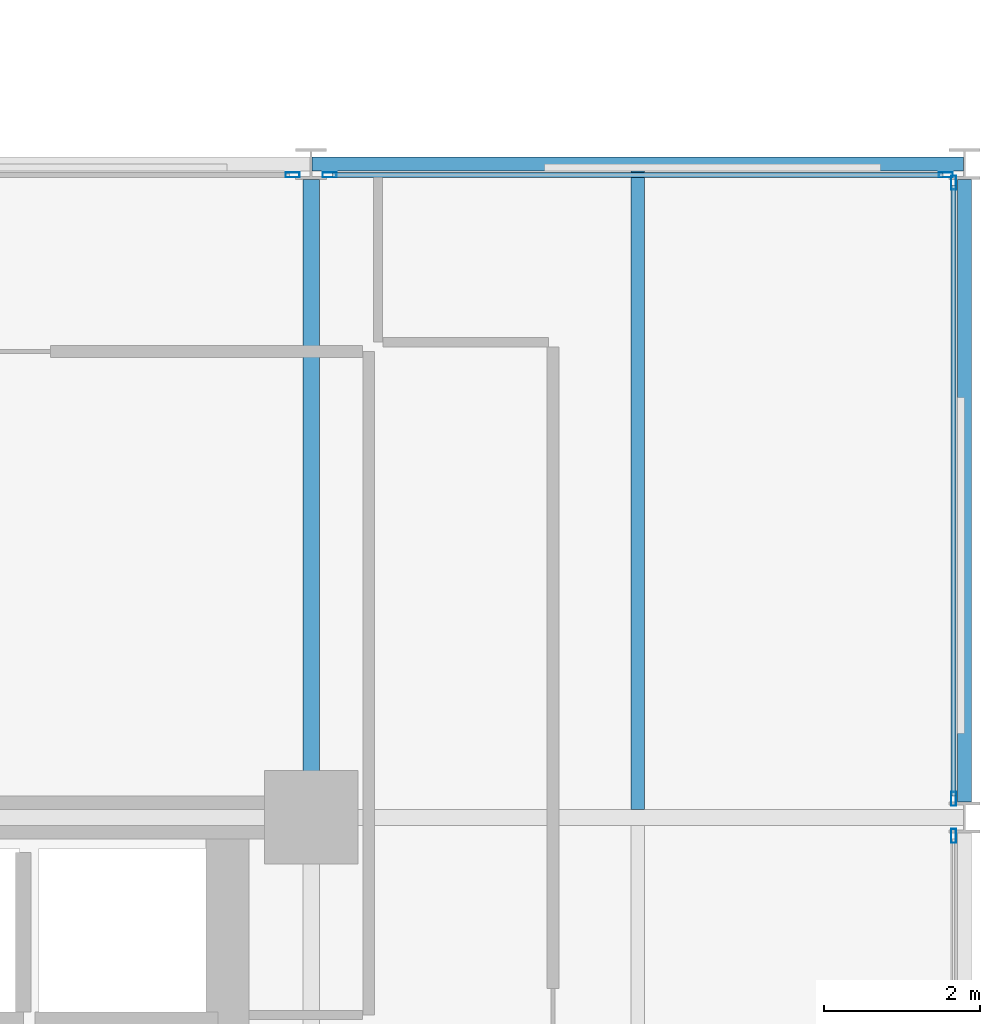
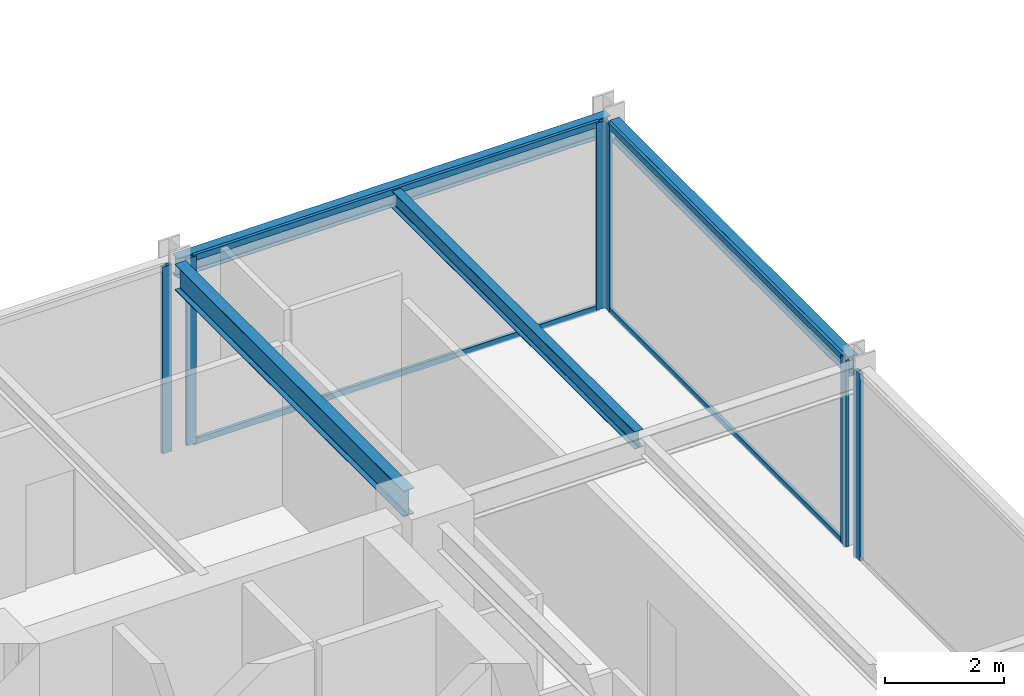
# One storey, part 15 of 29: 10 members, 4 beams, 4 elements without a shape of their own.
"""IFC4 building model written with IfcOpenShell, lengths in metres."""

from ifc_helpers import new_model, si_unit, direction, frame, origin, origin_2d, place, context, subcontext, project, spatial, hollow_rectangle, i_section, extrude, material, layer, layer_set, material_profile, profile_set, type_object, element, aggregate, save


model = new_model("IFC4")

# Units and contexts
model_context = context("Model", 3, precision=1e-05, world=origin(), true_north=direction((0.0, 1.0)))
body_context = subcontext(model_context, "Body", "Model", "MODEL_VIEW")
ifc_project = project(units=[si_unit("LENGTHUNIT", "METRE"), si_unit("AREAUNIT", "SQUARE_METRE"), si_unit("VOLUMEUNIT", "CUBIC_METRE"), si_unit("PLANEANGLEUNIT", "RADIAN"), si_unit("MASSUNIT", "GRAM", prefix="KILO")], contexts=[model_context])

# Site, building, storey
site_placement = place(None, origin())
site = spatial("IfcSite", under=ifc_project, at=site_placement, CompositionType="ELEMENT")
building_placement = place(site_placement, origin())
building = spatial("IfcBuilding", under=site, at=building_placement, Name="Nerrivon Quay Data Exchange", CompositionType="ELEMENT")
storey_placement = place(building_placement, frame((0.0, 0.0, 121.300048828125)))
storey = spatial("IfcBuildingStorey", under=building, at=storey_placement, Name="L28", CompositionType="ELEMENT", Elevation=121.300048828125)

# Beams
ifc_material_1 = material(Name="Steel Grade 350", Category="steel")
ifc_material_profile_1 = material_profile(ifc_material_1, i_section(OverallWidth=0.208984375, OverallDepth=0.528076171875, WebThickness=0.009521484375, FlangeThickness=0.01318359375, FilletRadius=0.013916015625, at=origin_2d()), Name="530UB82.0")
ifc_profile_set_1 = profile_set([ifc_material_profile_1], Name="Steel Grade 350")
beam_type_1 = type_object("IfcBeamType", Name="BM-G4-530UB82", PredefinedType="BEAM", material=ifc_profile_set_1)
beam_1_placement = place(storey_placement, frame((33.60009765625, 17.340087890625, 3.56103515625), z_axis=(0.0, 1.0, 0.0), x_axis=(-1.0, 0.0, 0.0)))
element("IfcBeam", 1, at=beam_1_placement, inside=storey, type_object=beam_type_1, Name="L28 NS Girder X=33.6 (16.8..25.2)", PredefinedType="BEAM", context=body_context, shape_type="SweptSolid", body=[
    extrude(i_section(OverallWidth=0.208984375, OverallDepth=0.528076171875, WebThickness=0.009521484375, FlangeThickness=0.01318359375, FilletRadius=0.013916015625, at=origin_2d()), origin(), (0.0, 0.0, 1.0), 7.659912109375),
])
ifc_material_profile_2 = material_profile(ifc_material_1, i_section(OverallWidth=0.1708984375, OverallDepth=0.35595703125, WebThickness=0.00732421875, FlangeThickness=0.011474609375, FilletRadius=0.011474609375, at=origin_2d()), Name="360UB50.7")
ifc_profile_set_2 = profile_set([ifc_material_profile_2], Name="Steel Grade 350")
beam_type_2 = type_object("IfcBeamType", Name="BM-J4-360UB51", PredefinedType="JOIST", material=ifc_profile_set_2)
beam_2_placement = place(storey_placement, frame((37.800048828125, 16.904541015625, 3.64697265625), z_axis=(0.0, 1.0, 0.0), x_axis=(-1.0, 0.0, 0.0)))
element("IfcBeam", 2, at=beam_2_placement, inside=storey, type_object=beam_type_2, Name="L28 Secondary Joist X=37.8 (16.8..25.2)", PredefinedType="JOIST", context=body_context, shape_type="SweptSolid", body=[
    extrude(i_section(OverallWidth=0.1708984375, OverallDepth=0.35595703125, WebThickness=0.00732421875, FlangeThickness=0.011474609375, FilletRadius=0.011474609375, at=origin_2d()), origin(), (0.0, 0.0, 1.0), 8.20654296875),
])
ifc_material_profile_3 = material_profile(ifc_material_1, i_section(OverallWidth=0.177978515625, OverallDepth=0.403076171875, WebThickness=0.007568359375, FlangeThickness=0.010986328125, FilletRadius=0.011474609375, at=origin_2d()), Name="410UB53.7")
ifc_profile_set_3 = profile_set([ifc_material_profile_3], Name="Steel Grade 350")
beam_type_3 = type_object("IfcBeamType", Name="BM-SP2-410UB54", PredefinedType="SPANDREL", material=ifc_profile_set_3)
beam_3_placement = place(storey_placement, frame((33.612548828125, 25.199951171875, 3.62353515625), z_axis=(1.0, 0.0, 0.0), x_axis=(0.0, 1.0, 0.0)))
element("IfcBeam", 3, at=beam_3_placement, inside=storey, type_object=beam_type_3, Name="L28 EW Girder Y=25.2 (33.6..42.0)", PredefinedType="SPANDREL", context=body_context, shape_type="SweptSolid", body=[
    extrude(i_section(OverallWidth=0.177978515625, OverallDepth=0.403076171875, WebThickness=0.007568359375, FlangeThickness=0.010986328125, FilletRadius=0.011474609375, at=origin_2d()), origin(), (0.0, 0.0, 1.0), 8.375),
])
beam_4_placement = place(storey_placement, frame((42.0, 17.0, 3.62353515625), z_axis=(0.0, 1.0, 0.0), x_axis=(-1.0, 0.0, 0.0)))
element("IfcBeam", 4, at=beam_4_placement, inside=storey, type_object=beam_type_3, Name="L28 NS Girder X=42.0 (16.8..25.2)", PredefinedType="SPANDREL", context=body_context, shape_type="SweptSolid", body=[
    extrude(i_section(OverallWidth=0.177978515625, OverallDepth=0.403076171875, WebThickness=0.007568359375, FlangeThickness=0.010986328125, FilletRadius=0.011474609375, at=origin_2d()), origin(), (0.0, 0.0, 1.0), 8.0),
])

# Curtain wall, member
ifc_material_2 = material(Name="Anodised aluminium 6063-T6", Category="aluminium")
ifc_layer = layer(ifc_material_2, 0.2099609375)
ifc_layer_set = layer_set([ifc_layer], Name="Anodised aluminium 6063-T6")
curtain_wall_type = type_object("IfcCurtainWallType", Name="CW-SYS-02", PredefinedType="NOTDEFINED", material=ifc_layer_set)
curtain_wall_1_placement = place(storey_placement, origin())
curtain_wall_1 = element("IfcCurtainWall", 5, at=curtain_wall_1_placement, inside=storey, type_object=curtain_wall_type, Name="L28 Unitised Curtain Wall 26", PredefinedType="NOTDEFINED")
ifc_material_profile_4 = material_profile(ifc_material_2, hollow_rectangle(XDim=0.06494140625, YDim=0.179931640625, WallThickness=0.00341796875, at=origin_2d()), Name="ALU-MULL-180x65")
ifc_profile_set_4 = profile_set([ifc_material_profile_4], Name="Anodised aluminium 6063-T6")
member_type_1 = type_object("IfcMemberType", Name="CWM-180x65", PredefinedType="MULLION", material=ifc_profile_set_4)
member_1_placement = place(storey_placement, frame((33.362548828125, 25.06005859375, 0.0), z_axis=(0.0, 0.0, 1.0), x_axis=(0.0, 1.0, 0.0)))
member_1 = element("IfcMember", 6, at=member_1_placement, type_object=member_type_1, Name="CW02 mullion 2", PredefinedType="MULLION", context=body_context, shape_type="SweptSolid", body=[
    extrude(hollow_rectangle(XDim=0.06494140625, YDim=0.179931640625, WallThickness=0.00341796875, at=origin_2d()), origin(), (0.0, 0.0, 1.0), 3.824951171875),
])
aggregate(curtain_wall_1, [member_1])

# Curtain wall, members
curtain_wall_2_placement = place(storey_placement, origin())
curtain_wall_2 = element("IfcCurtainWall", 7, at=curtain_wall_2_placement, inside=storey, type_object=curtain_wall_type, Name="L28 Unitised Curtain Wall 27", PredefinedType="NOTDEFINED")
member_2_placement = place(storey_placement, frame((33.83740234375, 25.06005859375, 0.0), z_axis=(0.0, 0.0, 1.0), x_axis=(0.0, 1.0, 0.0)))
member_2 = element("IfcMember", 8, at=member_2_placement, type_object=member_type_1, Name="CW02 mullion 1", PredefinedType="MULLION", context=body_context, shape_type="SweptSolid", body=[
    extrude(hollow_rectangle(XDim=0.06494140625, YDim=0.179931640625, WallThickness=0.00341796875, at=origin_2d()), origin(), (0.0, 0.0, 1.0), 3.824951171875),
])
member_3_placement = place(storey_placement, frame((41.762451171875, 25.06005859375, 0.0), z_axis=(0.0, 0.0, 1.0), x_axis=(0.0, 1.0, 0.0)))
member_3 = element("IfcMember", 9, at=member_3_placement, type_object=member_type_1, Name="CW02 mullion 2", PredefinedType="MULLION", context=body_context, shape_type="SweptSolid", body=[
    extrude(hollow_rectangle(XDim=0.06494140625, YDim=0.179931640625, WallThickness=0.00341796875, at=origin_2d()), origin(), (0.0, 0.0, 1.0), 3.824951171875),
])

curtain_wall_3_placement = place(storey_placement, origin())
curtain_wall_3 = element("IfcCurtainWall", 10, at=curtain_wall_3_placement, inside=storey, type_object=curtain_wall_type, Name="L28 Unitised Curtain Wall 28", PredefinedType="NOTDEFINED")
member_4_placement = place(storey_placement, frame((41.860107421875, 24.96240234375, 0.0), z_axis=(0.0, 0.0, 1.0), x_axis=(1.0, 0.0, 0.0)))
member_4 = element("IfcMember", 11, at=member_4_placement, type_object=member_type_1, Name="CW02 mullion 1", PredefinedType="MULLION", context=body_context, shape_type="SweptSolid", body=[
    extrude(hollow_rectangle(XDim=0.06494140625, YDim=0.179931640625, WallThickness=0.00341796875, at=origin_2d()), origin(), (0.0, 0.0, 1.0), 3.824951171875),
])
member_5_placement = place(storey_placement, frame((41.860107421875, 17.03759765625, 0.0), z_axis=(0.0, 0.0, 1.0), x_axis=(1.0, 0.0, 0.0)))
member_5 = element("IfcMember", 12, at=member_5_placement, type_object=member_type_1, Name="CW02 mullion 2", PredefinedType="MULLION", context=body_context, shape_type="SweptSolid", body=[
    extrude(hollow_rectangle(XDim=0.06494140625, YDim=0.179931640625, WallThickness=0.00341796875, at=origin_2d()), origin(), (0.0, 0.0, 1.0), 3.824951171875),
])

# Curtain wall, member
curtain_wall_4_placement = place(storey_placement, origin())
curtain_wall_4 = element("IfcCurtainWall", 13, at=curtain_wall_4_placement, inside=storey, type_object=curtain_wall_type, Name="L28 Unitised Curtain Wall 29", PredefinedType="NOTDEFINED")
member_6_placement = place(storey_placement, frame((41.860107421875, 16.5625, 0.0), z_axis=(0.0, 0.0, 1.0), x_axis=(1.0, 0.0, 0.0)))
member_6 = element("IfcMember", 14, at=member_6_placement, type_object=member_type_1, Name="CW02 mullion 1", PredefinedType="MULLION", context=body_context, shape_type="SweptSolid", body=[
    extrude(hollow_rectangle(XDim=0.06494140625, YDim=0.179931640625, WallThickness=0.00341796875, at=origin_2d()), origin(), (0.0, 0.0, 1.0), 3.824951171875),
])
aggregate(curtain_wall_4, [member_6])

# Member
ifc_material_profile_5 = material_profile(ifc_material_2, hollow_rectangle(XDim=0.06005859375, YDim=0.1201171875, WallThickness=0.003173828125, at=origin_2d()), Name="ALU-TRAN-120x60")
ifc_profile_set_5 = profile_set([ifc_material_profile_5], Name="Anodised aluminium 6063-T6")
member_type_2 = type_object("IfcMemberType", Name="CWT-120x60", PredefinedType="USERDEFINED", material=ifc_profile_set_5)
member_7_placement = place(storey_placement, frame((33.875, 25.06005859375, 0.032470703125), z_axis=(1.0, 0.0, 0.0), x_axis=(0.0, 1.0, 0.0)))
member_7 = element("IfcMember", 15, at=member_7_placement, type_object=member_type_2, Name="CW02 transom 1.1", ObjectType="TRANSOM", PredefinedType="USERDEFINED", context=body_context, shape_type="SweptSolid", body=[
    extrude(hollow_rectangle(XDim=0.06005859375, YDim=0.1201171875, WallThickness=0.003173828125, at=origin_2d()), origin(), (0.0, 0.0, 1.0), 7.85009765625),
])

member_8_placement = place(storey_placement, frame((33.875, 25.06005859375, 3.79248046875), z_axis=(1.0, 0.0, 0.0), x_axis=(0.0, 1.0, 0.0)))
member_8 = element("IfcMember", 16, at=member_8_placement, type_object=member_type_2, Name="CW02 transom 1.2", ObjectType="TRANSOM", PredefinedType="USERDEFINED", context=body_context, shape_type="SweptSolid", body=[
    extrude(hollow_rectangle(XDim=0.06005859375, YDim=0.1201171875, WallThickness=0.003173828125, at=origin_2d()), origin(), (0.0, 0.0, 1.0), 7.85009765625),
])

aggregate(curtain_wall_2, [member_2, member_3, member_7, member_8])

member_9_placement = place(storey_placement, frame((41.860107421875, 24.925048828125, 0.032470703125), z_axis=(0.0, -1.0, 0.0), x_axis=(1.0, 0.0, 0.0)))
member_9 = element("IfcMember", 17, at=member_9_placement, type_object=member_type_2, Name="CW02 transom 1.1", ObjectType="TRANSOM", PredefinedType="USERDEFINED", context=body_context, shape_type="SweptSolid", body=[
    extrude(hollow_rectangle(XDim=0.06005859375, YDim=0.1201171875, WallThickness=0.003173828125, at=origin_2d()), origin(), (0.0, 0.0, 1.0), 7.85009765625),
])

member_10_placement = place(storey_placement, frame((41.860107421875, 24.925048828125, 3.79248046875), z_axis=(0.0, -1.0, 0.0), x_axis=(1.0, 0.0, 0.0)))
member_10 = element("IfcMember", 18, at=member_10_placement, type_object=member_type_2, Name="CW02 transom 1.2", ObjectType="TRANSOM", PredefinedType="USERDEFINED", context=body_context, shape_type="SweptSolid", body=[
    extrude(hollow_rectangle(XDim=0.06005859375, YDim=0.1201171875, WallThickness=0.003173828125, at=origin_2d()), origin(), (0.0, 0.0, 1.0), 7.85009765625),
])

aggregate(curtain_wall_3, [member_4, member_5, member_9, member_10])

save(model, "model.ifc")
